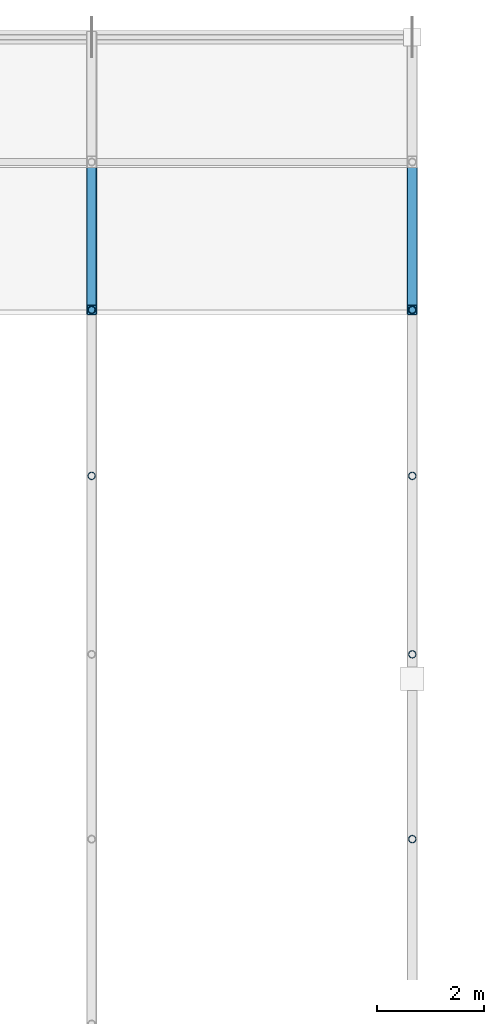
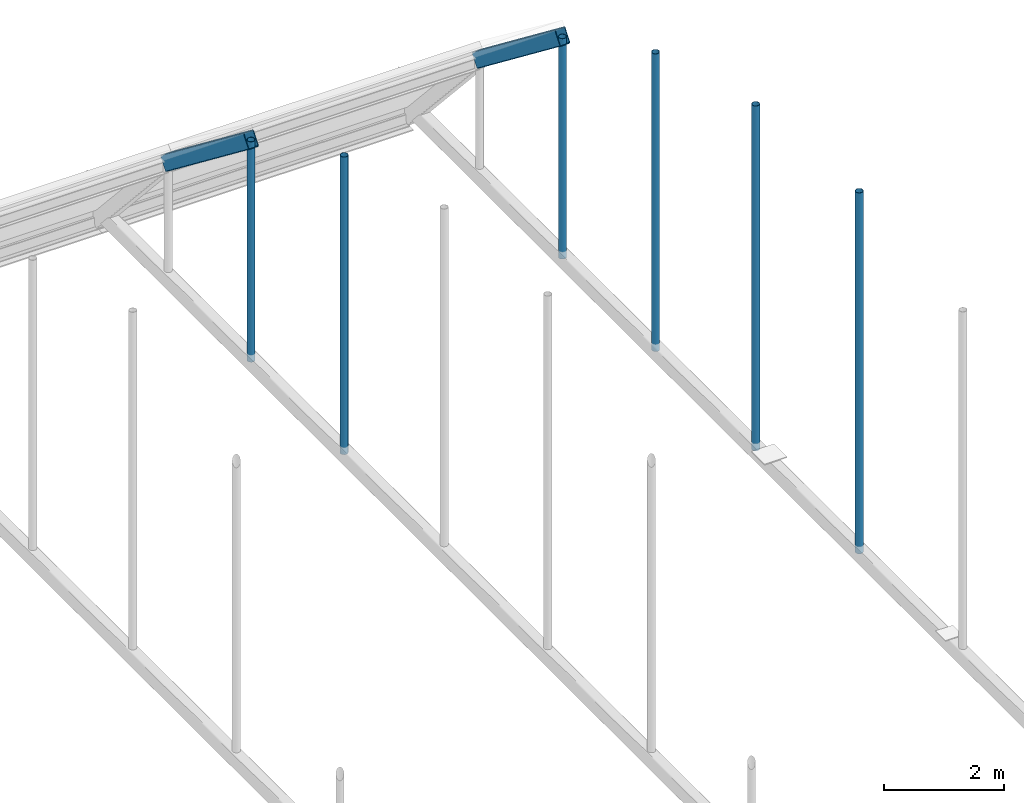
# One storey, part 37 of 63: 6 members, 2 beams.
"""IFC4 building model written with IfcOpenShell, lengths in metres."""

from ifc_helpers import new_model, si_unit, direction, frame, origin, origin_2d, place, context, subcontext, project, spatial, hollow_rectangle, hollow_circle, extrude, material, material_profile, profile_set, type_object, element, save


model = new_model("IFC4")

# Units and contexts
model_context = context("Model", 3, precision=1e-05, world=origin(), true_north=direction((0.0, 1.0)))
body_context = subcontext(model_context, "Body", "Model", "MODEL_VIEW")
ifc_project = project(units=[si_unit("LENGTHUNIT", "METRE"), si_unit("AREAUNIT", "SQUARE_METRE"), si_unit("VOLUMEUNIT", "CUBIC_METRE"), si_unit("PLANEANGLEUNIT", "RADIAN"), si_unit("MASSUNIT", "GRAM", prefix="KILO")], contexts=[model_context])

# Site, building, storey
site_placement = place(None, origin())
site = spatial("IfcSite", under=ifc_project, at=site_placement, CompositionType="ELEMENT")
building_placement = place(site_placement, origin())
building = spatial("IfcBuilding", under=site, at=building_placement, Name="Varnakota Square Police Headquarters", CompositionType="ELEMENT")
storey_placement = place(building_placement, frame((0.0, 0.0, 22.199951171875)))
storey = spatial("IfcBuildingStorey", under=building, at=storey_placement, Name="L05", CompositionType="ELEMENT", Elevation=22.199951171875)

# Beams
ifc_material = material(Name="Steel IS 2062 Grade 350", Category="steel")
ifc_material_profile_1 = material_profile(ifc_material, hollow_rectangle(XDim=0.199951171875, YDim=0.300048828125, WallThickness=0.011962890625, InnerFilletRadius=0.011962890625, OuterFilletRadius=0.02392578125, at=origin_2d()), Name="RHS 300x200x12")
ifc_profile_set_1 = profile_set([ifc_material_profile_1], Name="Steel IS 2062 Grade 350")
beam_type = type_object("IfcBeamType", Name="BM-VR-RHS300", PredefinedType="BEAM", material=ifc_profile_set_1)
for number, where, z_axis, x_axis, name in (
    (1, (90.0, 93.902099609375, 4.33837890625), (0.0, 0.792062306817, -0.610440252703), (-1.0, 0.0, 0.0), "Barrel vault arch rib chord VR-V2-R06-S09"),
    (2, (96.0, 93.902099609375, 4.33837890625), (0.0, 0.792062306817, -0.610440252703), (-1.0, 0.0, 0.0), "Barrel vault arch rib chord VR-V2-R07-S09"),
):
    element("IfcBeam", number, at=place(storey_placement, frame(where, z_axis=z_axis, x_axis=x_axis)), inside=storey, type_object=beam_type, Name=name, PredefinedType="BEAM", context=body_context, shape_type="SweptSolid", body=[
        extrude(hollow_rectangle(XDim=0.199951171875, YDim=0.300048828125, WallThickness=0.011962890625, InnerFilletRadius=0.011962890625, OuterFilletRadius=0.02392578125, at=origin_2d()), origin(), (0.0, 0.0, 1.0), 3.4921875),
    ])

# Members
ifc_material_profile_2 = material_profile(ifc_material, hollow_circle(Radius=0.06982421875, WallThickness=0.006103515625, at=origin_2d()), Name="CHS 139.7x6.0")
ifc_profile_set_2 = profile_set([ifc_material_profile_2], Name="Steel IS 2062 Grade 350")
member_type = type_object("IfcMemberType", Name="MEM-HNG-CHS139", PredefinedType="STRUT", material=ifc_profile_set_2)
member_1_placement = place(storey_placement, frame((90.0, 90.79638671875, -0.14990234375), z_axis=(0.0, 0.0, 1.0), x_axis=(1.0, 0.0, 0.0)))
element("IfcMember", 3, at=member_1_placement, inside=storey, type_object=member_type, Name="Barrel vault hanger strut V2-R06-N7", PredefinedType="STRUT", context=body_context, shape_type="SweptSolid", body=[
    extrude(hollow_circle(Radius=0.06982421875, WallThickness=0.006103515625, at=origin_2d()), origin(), (0.0, 0.0, 1.0), 6.060302734375),
])
member_2_placement = place(storey_placement, frame((90.0, 93.902099609375, -0.14990234375), z_axis=(0.0, 0.0, 1.0), x_axis=(1.0, 0.0, 0.0)))
element("IfcMember", 4, at=member_2_placement, inside=storey, type_object=member_type, Name="Barrel vault hanger strut V2-R06-N8", PredefinedType="STRUT", context=body_context, shape_type="SweptSolid", body=[
    extrude(hollow_circle(Radius=0.06982421875, WallThickness=0.006103515625, at=origin_2d()), origin(), (0.0, 0.0, 1.0), 4.48828125),
])
member_3_placement = place(storey_placement, frame((96.0, 84.0, -0.14990234375), z_axis=(0.0, 0.0, 1.0), x_axis=(1.0, 0.0, 0.0)))
element("IfcMember", 5, at=member_3_placement, inside=storey, type_object=member_type, Name="Barrel vault hanger strut V2-R07-N5", PredefinedType="STRUT", context=body_context, shape_type="SweptSolid", body=[
    extrude(hollow_circle(Radius=0.06982421875, WallThickness=0.006103515625, at=origin_2d()), origin(), (0.0, 0.0, 1.0), 7.351318359375),
])
member_4_placement = place(storey_placement, frame((96.0, 87.45751953125, -0.14990234375), z_axis=(0.0, 0.0, 1.0), x_axis=(1.0, 0.0, 0.0)))
element("IfcMember", 6, at=member_4_placement, inside=storey, type_object=member_type, Name="Barrel vault hanger strut V2-R07-N6", PredefinedType="STRUT", context=body_context, shape_type="SweptSolid", body=[
    extrude(hollow_circle(Radius=0.06982421875, WallThickness=0.006103515625, at=origin_2d()), origin(), (0.0, 0.0, 1.0), 7.02490234375),
])
member_5_placement = place(storey_placement, frame((96.0, 90.79638671875, -0.14990234375), z_axis=(0.0, 0.0, 1.0), x_axis=(1.0, 0.0, 0.0)))
element("IfcMember", 7, at=member_5_placement, inside=storey, type_object=member_type, Name="Barrel vault hanger strut V2-R07-N7", PredefinedType="STRUT", context=body_context, shape_type="SweptSolid", body=[
    extrude(hollow_circle(Radius=0.06982421875, WallThickness=0.006103515625, at=origin_2d()), origin(), (0.0, 0.0, 1.0), 6.060302734375),
])
member_6_placement = place(storey_placement, frame((96.0, 93.902099609375, -0.14990234375), z_axis=(0.0, 0.0, 1.0), x_axis=(1.0, 0.0, 0.0)))
element("IfcMember", 8, at=member_6_placement, inside=storey, type_object=member_type, Name="Barrel vault hanger strut V2-R07-N8", PredefinedType="STRUT", context=body_context, shape_type="SweptSolid", body=[
    extrude(hollow_circle(Radius=0.06982421875, WallThickness=0.006103515625, at=origin_2d()), origin(), (0.0, 0.0, 1.0), 4.48828125),
])

save(model, "model.ifc")
